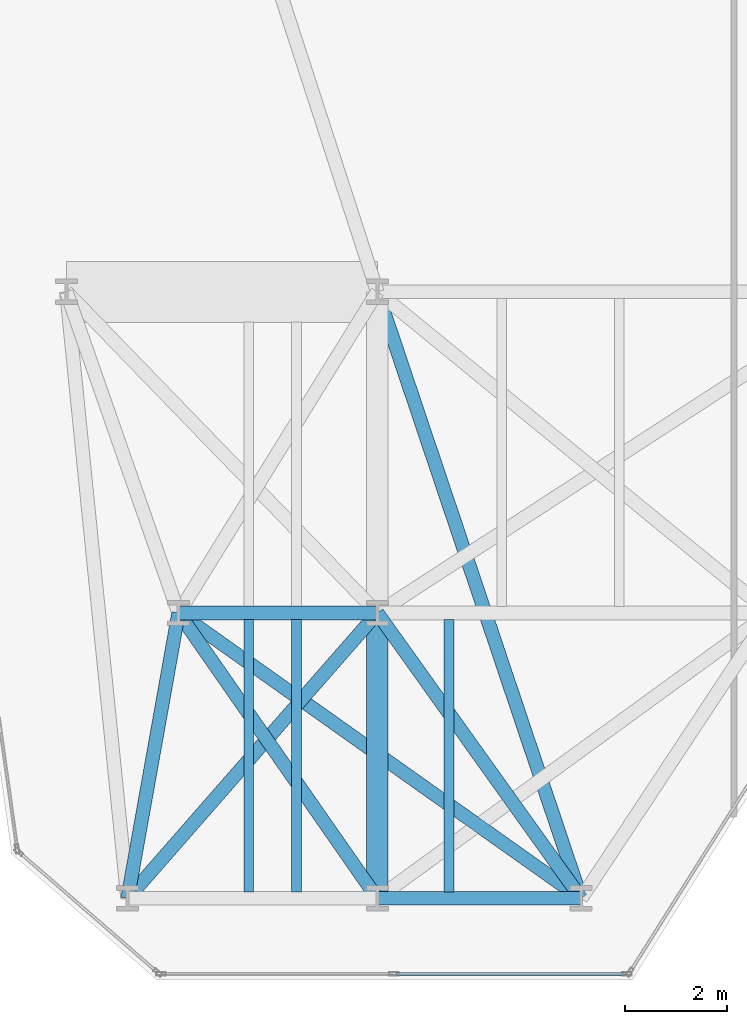
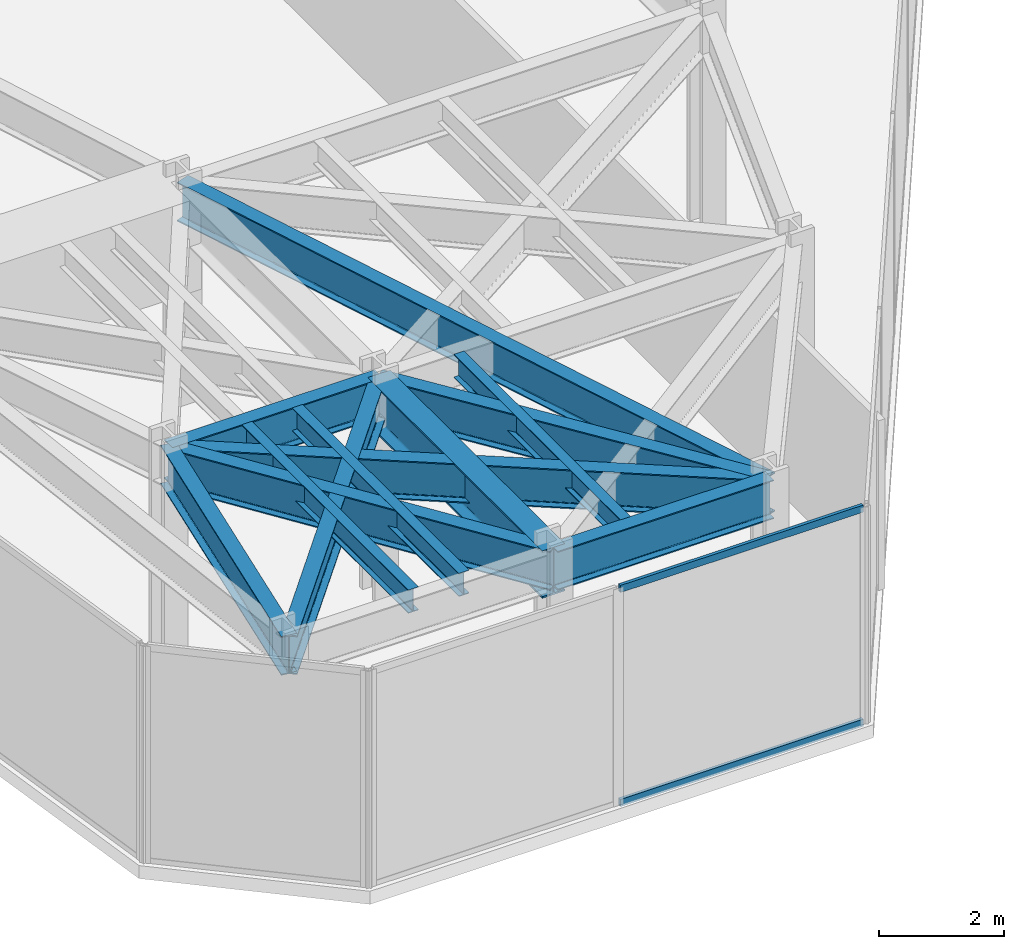
# One storey, part 3 of 28: 12 beams, 2 members, 1 element without a shape of its own.
"""IFC4 building model written with IfcOpenShell, lengths in metres."""

from ifc_helpers import new_model, si_unit, direction, frame, origin, origin_2d, place, context, subcontext, project, spatial, hollow_rectangle, i_section, extrude, material, layer, layer_set, material_profile, profile_set, type_object, element, aggregate, save


model = new_model("IFC4")

# Units and contexts
model_context = context("Model", 3, precision=1e-05, world=origin(), true_north=direction((0.0, 1.0)))
body_context = subcontext(model_context, "Body", "Model", "MODEL_VIEW")
ifc_project = project(units=[si_unit("LENGTHUNIT", "METRE"), si_unit("AREAUNIT", "SQUARE_METRE"), si_unit("VOLUMEUNIT", "CUBIC_METRE"), si_unit("PLANEANGLEUNIT", "RADIAN"), si_unit("MASSUNIT", "GRAM", prefix="KILO")], contexts=[model_context])

# Site, building, storey
site_placement = place(None, origin())
site = spatial("IfcSite", under=ifc_project, at=site_placement, CompositionType="ELEMENT")
building_placement = place(site_placement, origin())
building = spatial("IfcBuilding", under=site, at=building_placement, Name="Kravanh Interchange Tower", CompositionType="ELEMENT")
storey_placement = place(building_placement, frame((0.0, 0.0, 91.5)))
storey = spatial("IfcBuildingStorey", under=building, at=storey_placement, Name="L21", CompositionType="ELEMENT", Elevation=91.5)

# Curtain wall, members
ifc_material_1 = material(Name="Anodised Bronze Aluminium", Category="aluminium")
ifc_layer = layer(ifc_material_1, 0.179931640625)
ifc_layer_set = layer_set([ifc_layer], Name="Unitised Curtain Wall System CW-SKY Sky Observatory")
curtain_wall_type = type_object("IfcCurtainWallType", Name="Unitised Curtain Wall System CW-SKY Sky Observatory", PredefinedType="NOTDEFINED", material=ifc_layer_set)
curtain_wall_placement = place(storey_placement, origin())
curtain_wall = element("IfcCurtainWall", 1, at=curtain_wall_placement, inside=storey, type_object=curtain_wall_type, Name="L21 Unitised Curtain Wall CW-L21-07", PredefinedType="NOTDEFINED")
ifc_material_2 = material(Name="Anodised Bronze Aluminium", Category="aluminium")
ifc_material_profile_1 = material_profile(ifc_material_2, hollow_rectangle(XDim=0.06005859375, YDim=0.139892578125, WallThickness=0.00390625, at=origin_2d()), Name="ALU60X140X4")
ifc_profile_set_1 = profile_set([ifc_material_profile_1], Name="Anodised Bronze Aluminium")
member_type = type_object("IfcMemberType", Name="Curtain Wall Transom ALU60X140X4 Bronze", PredefinedType="USERDEFINED", material=ifc_profile_set_1)
member_1_placement = place(storey_placement, frame((22.36376953125, 1.1201171875, 0.030029296875), z_axis=(-1.0, 0.0, 0.0), x_axis=(0.0, -1.0, 0.0)))
member_1 = element("IfcMember", 2, at=member_1_placement, type_object=member_type, Name="CW-SKY transom 1.1", ObjectType="TRANSOM", PredefinedType="USERDEFINED", context=body_context, shape_type="SweptSolid", body=[
    extrude(hollow_rectangle(XDim=0.06005859375, YDim=0.139892578125, WallThickness=0.00390625, at=origin_2d()), origin(), (0.0, 0.0, 1.0), 4.50146484375),
])
member_2_placement = place(storey_placement, frame((22.36376953125, 1.1201171875, 4.219970703125), z_axis=(-1.0, 0.0, 0.0), x_axis=(0.0, -1.0, 0.0)))
member_2 = element("IfcMember", 3, at=member_2_placement, type_object=member_type, Name="CW-SKY transom 1.2", ObjectType="TRANSOM", PredefinedType="USERDEFINED", context=body_context, shape_type="SweptSolid", body=[
    extrude(hollow_rectangle(XDim=0.06005859375, YDim=0.139892578125, WallThickness=0.00390625, at=origin_2d()), origin(), (0.0, 0.0, 1.0), 4.50146484375),
])
aggregate(curtain_wall, [member_1, member_2])

# Beams
ifc_material_3 = material(Name="Structural Steel S355", Category="steel")
ifc_material_profile_2 = material_profile(ifc_material_3, i_section(OverallWidth=0.41796875, OverallDepth=0.927001953125, WebThickness=0.019287109375, FlangeThickness=0.031982421875, FilletRadius=0.028076171875, at=origin_2d()), Name="W36X231")
ifc_profile_set_2 = profile_set([ifc_material_profile_2], Name="Structural Steel S355")
beam_type_1 = type_object("IfcBeamType", Name="Floor Beam W36X231 Structural Steel S355", PredefinedType="BEAM", material=ifc_profile_set_2)
beam_1_placement = place(storey_placement, frame((17.5, 2.60009765625, 3.78662109375), z_axis=(0.0, 1.0, 0.0), x_axis=(-1.0, 0.0, 0.0)))
element("IfcBeam", 4, at=beam_1_placement, inside=storey, type_object=beam_type_1, Name="L21 Primary Floor Girder 103", PredefinedType="BEAM", context=body_context, shape_type="SweptSolid", body=[
    extrude(i_section(OverallWidth=0.41796875, OverallDepth=0.927001953125, WebThickness=0.019287109375, FlangeThickness=0.031982421875, FilletRadius=0.028076171875, at=origin_2d()), origin(), (0.0, 0.0, 1.0), 5.599853515625),
])
ifc_material_4 = material(Name="Structural Steel S355", Category="steel")
ifc_material_profile_3 = material_profile(ifc_material_4, i_section(OverallWidth=0.18994140625, OverallDepth=0.45703125, WebThickness=0.009033203125, FlangeThickness=0.014404296875, FilletRadius=0.01806640625, at=origin_2d()), Name="W18X50")
ifc_profile_set_3 = profile_set([ifc_material_profile_3], Name="Structural Steel S355")
beam_type_2 = type_object("IfcBeamType", Name="Floor Joist W18X50 Structural Steel S355", PredefinedType="JOIST", material=ifc_profile_set_3)
for number, where, z_axis, x_axis, name in (
    (5, (14.97802734375, 2.728515625, 4.021484375), (0.0, 1.0, 0.0), (-1.0, 0.0, 0.0), "L21 Secondary Floor Joist 1"),
    (6, (15.9140625, 2.728515625, 4.021484375), (0.0, 1.0, 0.0), (-1.0, 0.0, 0.0), "L21 Secondary Floor Joist 2"),
    (7, (18.906005859375, 2.728515625, 4.021484375), (0.0, 1.0, 0.0), (-1.0, 0.0, 0.0), "L21 Secondary Floor Joist 3"),
):
    element("IfcBeam", number, at=place(storey_placement, frame(where, z_axis=z_axis, x_axis=x_axis)), inside=storey, type_object=beam_type_2, Name=name, PredefinedType="JOIST", context=body_context, shape_type="SweptSolid", body=[
        extrude(i_section(OverallWidth=0.18994140625, OverallDepth=0.45703125, WebThickness=0.009033203125, FlangeThickness=0.014404296875, FilletRadius=0.01806640625, at=origin_2d()), origin(), (0.0, 0.0, 1.0), 5.343017578125),
    ])
ifc_material_5 = material(Name="Structural Steel S355", Category="steel")
ifc_material_profile_4 = material_profile(ifc_material_5, i_section(OverallWidth=0.26708984375, OverallDepth=0.761962890625, WebThickness=0.014404296875, FlangeThickness=0.021484375, FilletRadius=0.02490234375, at=origin_2d()), Name="W30X116")
ifc_profile_set_4 = profile_set([ifc_material_profile_4], Name="Structural Steel S355")
beam_type_3 = type_object("IfcBeamType", Name="Floor Spandrel W30X116 Structural Steel S355", PredefinedType="SPANDREL", material=ifc_profile_set_4)
beam_2_placement = place(storey_placement, frame((12.60009765625, 2.60009765625, 3.868896484375), z_axis=(0.175795094814, 0.984426779725, 0.0), x_axis=(-0.984426779725, 0.175795094814, 0.0)))
element("IfcBeam", 8, at=beam_2_placement, inside=storey, type_object=beam_type_3, Name="L21 Perimeter Spandrel 39", PredefinedType="SPANDREL", context=body_context, shape_type="SweptSolid", body=[
    extrude(i_section(OverallWidth=0.26708984375, OverallDepth=0.761962890625, WebThickness=0.014404296875, FlangeThickness=0.021484375, FilletRadius=0.02490234375, at=origin_2d()), origin(), (0.0, 0.0, 1.0), 5.6884765625),
])
beam_3_placement = place(storey_placement, frame((12.60009765625, 2.60009765625, 3.868896484375), z_axis=(0.658506930733, 0.752574662194, 0.0), x_axis=(-0.752574662194, 0.658506930733, 0.0)))
element("IfcBeam", 9, at=beam_3_placement, inside=storey, type_object=beam_type_3, Name="L21 Perimeter Spandrel 40", PredefinedType="SPANDREL", context=body_context, shape_type="SweptSolid", body=[
    extrude(i_section(OverallWidth=0.26708984375, OverallDepth=0.761962890625, WebThickness=0.014404296875, FlangeThickness=0.021484375, FilletRadius=0.02490234375, at=origin_2d()), origin(), (0.0, 0.0, 1.0), 7.44091796875),
])
beam_4_placement = place(storey_placement, frame((17.5, 2.60009765625, 3.868896484375), z_axis=(1.0, 0.0, 0.0), x_axis=(0.0, 1.0, 0.0)))
element("IfcBeam", 10, at=beam_4_placement, inside=storey, type_object=beam_type_3, Name="L21 Perimeter Spandrel 102", PredefinedType="SPANDREL", context=body_context, shape_type="SweptSolid", body=[
    extrude(i_section(OverallWidth=0.26708984375, OverallDepth=0.761962890625, WebThickness=0.014404296875, FlangeThickness=0.021484375, FilletRadius=0.02490234375, at=origin_2d()), origin(), (0.0, 0.0, 1.0), 4.0),
])
beam_5_placement = place(storey_placement, frame((17.5, 2.60009765625, 3.868896484375), z_axis=(-0.571494183969, 0.820606116045, 0.0), x_axis=(-0.820606116045, -0.571494183969, 0.0)))
element("IfcBeam", 11, at=beam_5_placement, inside=storey, type_object=beam_type_3, Name="L21 Perimeter Spandrel 104", PredefinedType="SPANDREL", context=body_context, shape_type="SweptSolid", body=[
    extrude(i_section(OverallWidth=0.26708984375, OverallDepth=0.761962890625, WebThickness=0.014404296875, FlangeThickness=0.021484375, FilletRadius=0.02490234375, at=origin_2d()), origin(), (0.0, 0.0, 1.0), 6.823974609375),
])
beam_6_placement = place(storey_placement, frame((21.5, 2.60009765625, 3.868896484375), z_axis=(-0.581248261352, 0.813726279946, 0.0), x_axis=(-0.813726279946, -0.581248261352, 0.0)))
element("IfcBeam", 12, at=beam_6_placement, inside=storey, type_object=beam_type_3, Name="L21 Perimeter Spandrel 122", PredefinedType="SPANDREL", context=body_context, shape_type="SweptSolid", body=[
    extrude(i_section(OverallWidth=0.26708984375, OverallDepth=0.761962890625, WebThickness=0.014404296875, FlangeThickness=0.021484375, FilletRadius=0.02490234375, at=origin_2d()), origin(), (0.0, 0.0, 1.0), 6.8818359375),
])
beam_7_placement = place(storey_placement, frame((21.5, 2.60009765625, 3.868896484375), z_axis=(-0.815825239527, 0.578298520274, 0.0), x_axis=(-0.578298520274, -0.815825239527, 0.0)))
element("IfcBeam", 13, at=beam_7_placement, inside=storey, type_object=beam_type_3, Name="L21 Perimeter Spandrel 123", PredefinedType="SPANDREL", context=body_context, shape_type="SweptSolid", body=[
    extrude(i_section(OverallWidth=0.26708984375, OverallDepth=0.761962890625, WebThickness=0.014404296875, FlangeThickness=0.021484375, FilletRadius=0.02490234375, at=origin_2d()), origin(), (0.0, 0.0, 1.0), 9.683349609375),
])
beam_8_placement = place(storey_placement, frame((21.5, 2.60009765625, 3.868896484375), z_axis=(-0.318618734989, 0.947882957814, 0.0), x_axis=(-0.947882957814, -0.318618734989, 0.0)))
element("IfcBeam", 14, at=beam_8_placement, inside=storey, type_object=beam_type_3, Name="L21 Perimeter Spandrel 124", PredefinedType="SPANDREL", context=body_context, shape_type="SweptSolid", body=[
    extrude(i_section(OverallWidth=0.26708984375, OverallDepth=0.761962890625, WebThickness=0.014404296875, FlangeThickness=0.021484375, FilletRadius=0.02490234375, at=origin_2d()), origin(), (0.0, 0.0, 1.0), 12.55419921875),
])
beam_9_placement = place(storey_placement, frame((13.60009765625, 8.199951171875, 3.868896484375), z_axis=(1.0, 0.0, 0.0), x_axis=(0.0, 1.0, 0.0)))
element("IfcBeam", 15, at=beam_9_placement, inside=storey, type_object=beam_type_3, Name="L21 Perimeter Spandrel 133", PredefinedType="SPANDREL", context=body_context, shape_type="SweptSolid", body=[
    extrude(i_section(OverallWidth=0.26708984375, OverallDepth=0.761962890625, WebThickness=0.014404296875, FlangeThickness=0.021484375, FilletRadius=0.02490234375, at=origin_2d()), origin(), (0.0, 0.0, 1.0), 3.89990234375),
])

save(model, "model.ifc")
